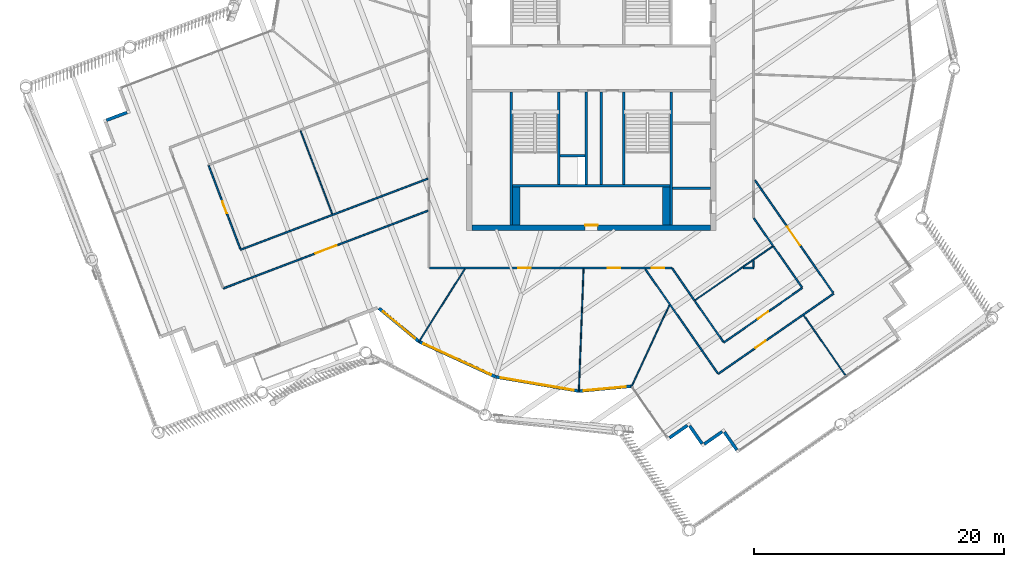
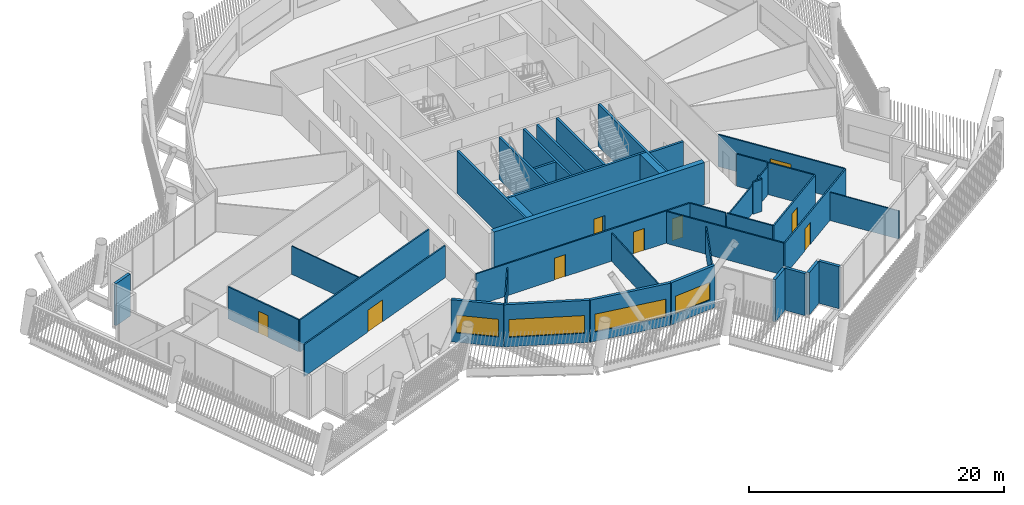
# One storey, part 17 of 33: 41 walls, 9 doors, 4 windows, 13 openings.
"""IFC4 building model written with IfcOpenShell, lengths in metres."""

from ifc_helpers import new_model, si_unit, direction, frame, frame_2d, origin, place, context, subcontext, project, spatial, rectangle, extrude, material, layer, layer_set, type_object, element, fill, save


model = new_model("IFC4")

# Units and contexts
model_context = context("Model", 3, precision=1e-05, world=origin(), true_north=direction((0.0, 1.0)))
body_context = subcontext(model_context, "Body", "Model", "MODEL_VIEW")
ifc_project = project(units=[si_unit("LENGTHUNIT", "METRE"), si_unit("AREAUNIT", "SQUARE_METRE"), si_unit("VOLUMEUNIT", "CUBIC_METRE"), si_unit("PLANEANGLEUNIT", "RADIAN"), si_unit("MASSUNIT", "GRAM", prefix="KILO")], contexts=[model_context])

# Site, building, storey
site_placement = place(None, origin())
site = spatial("IfcSite", under=ifc_project, at=site_placement, CompositionType="ELEMENT")
building_placement = place(site_placement, origin())
building = spatial("IfcBuilding", under=site, at=building_placement, Name="Tarsis Ring Headquarters", CompositionType="ELEMENT")
storey_placement = place(building_placement, frame((0.0, 0.0, 369.199951171875)))
storey = spatial("IfcBuildingStorey", under=building, at=storey_placement, Name="L87", CompositionType="ELEMENT", Elevation=369.199951171875)

# Walls
ifc_material_1 = material(Name="Blockwork", Category="masonry")
ifc_layer_1 = layer(ifc_material_1, 0.199951171875)
ifc_layer_set_1 = layer_set([ifc_layer_1], Name="Core blockwork wall 200")
wall_type_1 = type_object("IfcWallType", Name="Core blockwork wall 200", PredefinedType="PARTITIONING", material=ifc_layer_set_1)
wall_1_placement = place(storey_placement, frame((6.5, -9.60009765625, 0.0), z_axis=(0.0, 0.0, 1.0), x_axis=(1.0, 0.0, 0.0)))
element("IfcWall", 1, at=wall_1_placement, inside=storey, type_object=wall_type_1, Name="Core partition ED1", PredefinedType="PARTITIONING", context=body_context, shape_type="SweptSolid", body=[
    extrude(rectangle(XDim=3.050048828125, YDim=0.199951171875, at=frame_2d((1.52490234375, 0.0))), origin(), (0.0, 0.0, 1.0), 4.0400390625),
])
wall_2_placement = place(storey_placement, frame((-2.5, -7.0, 0.0), z_axis=(0.0, 0.0, 1.0), x_axis=(1.0, 0.0, 0.0)))
element("IfcWall", 2, at=wall_2_placement, inside=storey, type_object=wall_type_1, Name="Core partition SP1", PredefinedType="PARTITIONING", context=body_context, shape_type="SweptSolid", body=[
    extrude(rectangle(XDim=2.0, YDim=0.199951171875, at=frame_2d((1.0, 0.0))), origin(), (0.0, 0.0, 1.0), 4.0400390625),
])
for number, where, z_axis, x_axis, name in (
    (3, (-0.39990234375, -9.300048828125, 0.0), (0.0, 0.0, 1.0), (0.0, 1.0, 0.0), "Core partition SV1"),
    (4, (0.800048828125, -9.300048828125, 0.0), (0.0, 0.0, 1.0), (0.0, 1.0, 0.0), "Core partition SV2"),
):
    element("IfcWall", number, at=place(storey_placement, frame(where, z_axis=z_axis, x_axis=x_axis)), inside=storey, type_object=wall_type_1, Name=name, PredefinedType="PARTITIONING", context=body_context, shape_type="SweptSolid", body=[
        extrude(rectangle(XDim=7.400146484375, YDim=0.199951171875, at=frame_2d((3.7001953125, 0.0))), origin(), (0.0, 0.0, 1.0), 4.0400390625),
    ])

# Wall, opening, door
ifc_material_2 = material(Name="Concrete C50/60", Category="concrete")
ifc_layer_2 = layer(ifc_material_2, 0.449951171875)
ifc_layer_set_2 = layer_set([ifc_layer_2], Name="Core wall 450 C50/60")
wall_type_2 = type_object("IfcWallType", Name="Core wall 450 C50/60", PredefinedType="SHEAR", material=ifc_layer_set_2)
wall_3_placement = place(storey_placement, frame((-9.550048828125, -12.77490234375, 0.0), z_axis=(0.0, 0.0, 1.0), x_axis=(1.0, 0.0, 0.0)))
wall_3 = element("IfcWall", 5, at=wall_3_placement, inside=storey, type_object=wall_type_2, Name="Core wall OS", PredefinedType="SHEAR", context=body_context, shape_type="SweptSolid", body=[
    extrude(rectangle(XDim=19.10009765625, YDim=0.449951171875, at=frame_2d((9.550048828125, 0.0))), origin(), (0.0, 0.0, 1.0), 4.0400390625),
])
opening_1_placement = place(wall_3_placement, frame((9.050048828125, 0.0, 0.0)))
opening_1 = element("IfcOpeningElement", 6, at=opening_1_placement, cuts=wall_3, Name="Opening L87-C17", PredefinedType="OPENING", context=body_context, shape_type="SweptSolid", body=[
    extrude(rectangle(XDim=1.0, YDim=2.10009765625, at=frame_2d((0.5, 1.050048828125))), frame((0.0, 0.23486328125, 0.0), z_axis=(0.0, -1.0, 0.0), x_axis=(1.0, 0.0, 0.0)), (0.0, 0.0, 1.0), 0.469970703125),
])
ifc_material_3 = material(Name="Steel S355", Category="steel")
door_type_1 = type_object("IfcDoorType", Name="Core room door 1000x2100", OperationType="SINGLE_SWING_LEFT", PredefinedType="DOOR", material=ifc_material_3)
door_1_placement = place(opening_1_placement, origin())
door_1 = element("IfcDoor", 7, at=door_1_placement, inside=storey, type_object=door_type_1, Name="Core room door L87", OperationType="SINGLE_SWING_LEFT", OverallHeight=2.10009765625, OverallWidth=1.0, PredefinedType="DOOR", context=body_context, shape_type="SweptSolid", body=[
    extrude(rectangle(XDim=1.0, YDim=2.10009765625, at=frame_2d((0.5, 1.050048828125))), frame((0.0, 0.22509765625, 0.0), z_axis=(0.0, -1.0, 0.0), x_axis=(1.0, 0.0, 0.0)), (0.0, 0.0, 1.0), 0.050048828125),
])
fill(opening_1, door_1)

# Walls
ifc_material_4 = material(Name="Gypsum board on steel studs", Category="steel")
ifc_layer_3 = layer(ifc_material_4, 0.10009765625)
ifc_layer_set_3 = layer_set([ifc_layer_3], Name="FL partition 100 unrated")
wall_type_3 = type_object("IfcWallType", Name="FL partition 100 unrated", PredefinedType="PARTITIONING", material=ifc_layer_set_3)
wall_4_placement = place(storey_placement, frame((-0.99609375, -25.9287109375, 0.0), z_axis=(0.0, 0.0, 1.0), x_axis=(0.03840461206, 0.999262270764, 0.0)))
element("IfcWall", 8, at=wall_4_placement, inside=storey, type_object=wall_type_3, Name="Partition PW3", PredefinedType="PARTITIONING", context=body_context, shape_type="SweptSolid", body=[
    extrude(rectangle(XDim=9.8662109375, YDim=0.10009765625, at=frame_2d((4.93310546875, 0.0))), origin(), (0.0, 0.0, 1.0), 2.699951171875),
])
wall_5_placement = place(storey_placement, frame((8.269287109375, -18.60888671875, 0.0), z_axis=(0.0, 0.0, 1.0), x_axis=(0.821155877845, 0.570703972547, 0.0)))
element("IfcWall", 9, at=wall_5_placement, inside=storey, type_object=wall_type_3, Name="Partition PW3", PredefinedType="PARTITIONING", context=body_context, shape_type="SweptSolid", body=[
    extrude(rectangle(XDim=7.659912109375, YDim=0.10009765625, at=frame_2d((3.830078125, 0.0))), origin(), (0.0, 0.0, 1.0), 2.699951171875),
])
wall_6_placement = place(storey_placement, frame((-23.260498046875, -5.027587890625, 0.0), z_axis=(0.0, 0.0, 1.0), x_axis=(0.355069738809, -0.934839815467, 0.0)))
element("IfcWall", 10, at=wall_6_placement, inside=storey, type_object=wall_type_3, Name="Partition PW3", PredefinedType="PARTITIONING", context=body_context, shape_type="SweptSolid", body=[
    extrude(rectangle(XDim=7.119873046875, YDim=0.10009765625, at=frame_2d((3.56005859375, 0.0))), origin(), (0.0, 0.0, 1.0), 2.699951171875),
])
wall_7_placement = place(storey_placement, frame((3.208251953125, -25.510986328125, 0.0), z_axis=(0.0, 0.0, 1.0), x_axis=(0.421817035466, 0.906680973988, 0.0)))
element("IfcWall", 11, at=wall_7_placement, inside=storey, type_object=wall_type_3, Name="Partition PW3", PredefinedType="PARTITIONING", context=body_context, shape_type="SweptSolid", body=[
    extrude(rectangle(XDim=7.19482421875, YDim=0.10009765625, at=frame_2d((3.597412109375, 0.0))), origin(), (0.0, 0.0, 1.0), 2.699951171875),
])
wall_8_placement = place(storey_placement, frame((-13.826904296875, -21.956787109375, 0.0), z_axis=(0.0, 0.0, 1.0), x_axis=(0.532866379192, 0.846199398444, 0.0)))
element("IfcWall", 12, at=wall_8_placement, inside=storey, type_object=wall_type_3, Name="Partition PW3", PredefinedType="PARTITIONING", context=body_context, shape_type="SweptSolid", body=[
    extrude(rectangle(XDim=6.949462890625, YDim=0.10009765625, at=frame_2d((3.474609375, 0.0))), origin(), (0.0, 0.0, 1.0), 2.699951171875),
])
wall_9_placement = place(storey_placement, frame((17.00830078125, -19.793212890625, 0.0), z_axis=(0.0, 0.0, 1.0), x_axis=(0.57069900797, -0.821159328208, 0.0)))
element("IfcWall", 13, at=wall_9_placement, inside=storey, type_object=wall_type_3, Name="Partition PW3", PredefinedType="PARTITIONING", context=body_context, shape_type="SweptSolid", body=[
    extrude(rectangle(XDim=5.989990234375, YDim=0.10009765625, at=frame_2d((2.9951171875, 0.0))), origin(), (0.0, 0.0, 1.0), 2.699951171875),
])

# Wall, openings, doors
ifc_layer_4 = layer(ifc_material_4, 0.125)
ifc_layer_set_4 = layer_set([ifc_layer_4], Name="FL partition 125 EI 60 H3070")
wall_type_4 = type_object("IfcWallType", Name="FL partition 125 EI 60 H3070", PredefinedType="PARTITIONING", material=ifc_layer_set_4)
wall_10_placement = place(storey_placement, frame((-12.93994140625, -16.0, 0.0), z_axis=(0.0, 0.0, 1.0), x_axis=(1.0, 0.0, 0.0)))
wall_10 = element("IfcWall", 14, at=wall_10_placement, inside=storey, type_object=wall_type_4, Name="Partition PW1H307", PredefinedType="PARTITIONING", context=body_context, shape_type="SweptSolid", body=[
    extrude(rectangle(XDim=19.39599609375, YDim=0.125, at=frame_2d((9.697998046875, 0.0))), origin(), (0.0, 0.0, 1.0), 3.070068359375),
])
opening_2_placement = place(wall_10_placement, frame((14.2646484375, 0.0, 0.0)))
opening_2 = element("IfcOpeningElement", 15, at=opening_2_placement, cuts=wall_10, Name="Opening D87.12", PredefinedType="OPENING", context=body_context, shape_type="SweptSolid", body=[
    extrude(rectangle(XDim=1.0, YDim=2.10009765625, at=frame_2d((0.5, 1.050048828125))), frame((0.0, 0.072509765625, 0.0), z_axis=(0.0, -1.0, 0.0), x_axis=(1.0, 0.0, 0.0)), (0.0, 0.0, 1.0), 0.14501953125),
])
opening_3_placement = place(wall_10_placement, frame((7.0947265625, 0.0, 0.0)))
opening_3 = element("IfcOpeningElement", 16, at=opening_3_placement, cuts=wall_10, Name="Opening D87.13", PredefinedType="OPENING", context=body_context, shape_type="SweptSolid", body=[
    extrude(rectangle(XDim=1.0, YDim=2.10009765625, at=frame_2d((0.5, 1.050048828125))), frame((0.0, 0.072509765625, 0.0), z_axis=(0.0, -1.0, 0.0), x_axis=(1.0, 0.0, 0.0)), (0.0, 0.0, 1.0), 0.14501953125),
])
opening_4_placement = place(wall_10_placement, frame((17.800048828125, 0.0, 0.0)))
opening_4 = element("IfcOpeningElement", 17, at=opening_4_placement, cuts=wall_10, Name="Opening D87.17", PredefinedType="OPENING", context=body_context, shape_type="SweptSolid", body=[
    extrude(rectangle(XDim=1.0, YDim=2.10009765625, at=frame_2d((0.5, 1.050048828125))), frame((0.0, 0.072509765625, 0.0), z_axis=(0.0, -1.0, 0.0), x_axis=(1.0, 0.0, 0.0)), (0.0, 0.0, 1.0), 0.14501953125),
])
ifc_material_5 = material(Name="Fire-rated timber door leaf in steel frame", Category="steel")
door_type_2 = type_object("IfcDoorType", Name="FL door FD60-1000", OperationType="NOTDEFINED", PredefinedType="DOOR", material=ifc_material_5)
door_2_placement = place(opening_2_placement, origin())
door_2 = element("IfcDoor", 18, at=door_2_placement, inside=storey, type_object=door_type_2, Name="Door D87.12", OperationType="SINGLE_SWING_LEFT", OverallHeight=2.10009765625, OverallWidth=1.0, PredefinedType="DOOR", context=body_context, shape_type="SweptSolid", body=[
    extrude(rectangle(XDim=1.0, YDim=2.10009765625, at=frame_2d((0.5, 1.050048828125))), frame((0.0, 0.02490234375, 0.0), z_axis=(0.0, -1.0, 0.0), x_axis=(1.0, 0.0, 0.0)), (0.0, 0.0, 1.0), 0.050048828125),
])
fill(opening_2, door_2)
door_3_placement = place(opening_3_placement, origin())
door_3 = element("IfcDoor", 19, at=door_3_placement, inside=storey, type_object=door_type_2, Name="Door D87.13", OperationType="SINGLE_SWING_RIGHT", OverallHeight=2.10009765625, OverallWidth=1.0, PredefinedType="DOOR", context=body_context, shape_type="SweptSolid", body=[
    extrude(rectangle(XDim=1.0, YDim=2.10009765625, at=frame_2d((0.5, 1.050048828125))), frame((0.0, 0.02490234375, 0.0), z_axis=(0.0, -1.0, 0.0), x_axis=(1.0, 0.0, 0.0)), (0.0, 0.0, 1.0), 0.050048828125),
])
fill(opening_3, door_3)
door_4_placement = place(opening_4_placement, origin())
door_4 = element("IfcDoor", 20, at=door_4_placement, inside=storey, type_object=door_type_2, Name="Door D87.17", OperationType="SINGLE_SWING_RIGHT", OverallHeight=2.10009765625, OverallWidth=1.0, PredefinedType="DOOR", context=body_context, shape_type="SweptSolid", body=[
    extrude(rectangle(XDim=1.0, YDim=2.10009765625, at=frame_2d((0.5, 1.050048828125))), frame((0.0, 0.02490234375, 0.0), z_axis=(0.0, -1.0, 0.0), x_axis=(1.0, 0.0, 0.0)), (0.0, 0.0, 1.0), 0.050048828125),
])
fill(opening_4, door_4)

# Wall, opening, door
wall_11_placement = place(storey_placement, frame((-29.455810546875, -17.6396484375, 0.0), z_axis=(0.0, 0.0, 1.0), x_axis=(0.934824563286, 0.355109892678, 0.0)))
wall_11 = element("IfcWall", 21, at=wall_11_placement, inside=storey, type_object=wall_type_4, Name="Partition PW1H307", PredefinedType="PARTITIONING", context=body_context, shape_type="SweptSolid", body=[
    extrude(rectangle(XDim=17.523193359375, YDim=0.125, at=frame_2d((8.76171875, 0.0))), origin(), (0.0, 0.0, 1.0), 3.070068359375),
])
opening_5_placement = place(wall_11_placement, frame((7.901611328125, 0.0, 0.0)))
opening_5 = element("IfcOpeningElement", 22, at=opening_5_placement, cuts=wall_11, Name="Opening D87.01", PredefinedType="OPENING", context=body_context, shape_type="SweptSolid", body=[
    extrude(rectangle(XDim=1.800048828125, YDim=2.10009765625, at=frame_2d((0.89990234375, 1.050048828125))), frame((0.0, 0.072509765625, 0.0), z_axis=(0.0, -1.0, 0.0), x_axis=(1.0, 0.0, 0.0)), (0.0, 0.0, 1.0), 0.14501953125),
])
door_type_3 = type_object("IfcDoorType", Name="FL door FD60-1800", OperationType="DOUBLE_DOOR_SINGLE_SWING", PredefinedType="DOOR", material=ifc_material_5)
door_5_placement = place(opening_5_placement, origin())
door_5 = element("IfcDoor", 23, at=door_5_placement, inside=storey, type_object=door_type_3, Name="Door D87.01", OperationType="DOUBLE_DOOR_SINGLE_SWING", OverallHeight=2.10009765625, OverallWidth=1.800048828125, PredefinedType="DOOR", context=body_context, shape_type="SweptSolid", body=[
    extrude(rectangle(XDim=1.800048828125, YDim=2.10009765625, at=frame_2d((0.89990234375, 1.050048828125))), frame((0.0, 0.02490234375, 0.0), z_axis=(0.0, -1.0, 0.0), x_axis=(1.0, 0.0, 0.0)), (0.0, 0.0, 1.0), 0.050048828125),
])
fill(opening_5, door_5)

# Wall
wall_12_placement = place(storey_placement, frame((-28.064453125, -14.543701171875, 0.0), z_axis=(0.0, 0.0, 1.0), x_axis=(0.934825233191, 0.355108129152, 0.0)))
element("IfcWall", 24, at=wall_12_placement, inside=storey, type_object=wall_type_4, Name="Partition PW1H307", PredefinedType="PARTITIONING", context=body_context, shape_type="SweptSolid", body=[
    extrude(rectangle(XDim=16.034912109375, YDim=0.125, at=frame_2d((8.017578125, 0.0))), origin(), (0.0, 0.0, 1.0), 3.070068359375),
])

# Wall, opening, door
wall_13_placement = place(storey_placement, frame((10.152587890625, -24.47265625, 0.0), z_axis=(0.0, 0.0, 1.0), x_axis=(0.821146421845, 0.570717578047, 0.0)))
wall_13 = element("IfcWall", 25, at=wall_13_placement, inside=storey, type_object=wall_type_4, Name="Partition PW1H307", PredefinedType="PARTITIONING", context=body_context, shape_type="SweptSolid", body=[
    extrude(rectangle(XDim=11.260009765625, YDim=0.125, at=frame_2d((5.6298828125, 0.0))), origin(), (0.0, 0.0, 1.0), 3.070068359375),
])
opening_6_placement = place(wall_13_placement, frame((3.648193359375, 0.0, 0.0)))
opening_6 = element("IfcOpeningElement", 26, at=opening_6_placement, cuts=wall_13, Name="Opening D87.11", PredefinedType="OPENING", context=body_context, shape_type="SweptSolid", body=[
    extrude(rectangle(XDim=1.0, YDim=2.10009765625, at=frame_2d((0.5, 1.050048828125))), frame((0.0, 0.072509765625, 0.0), z_axis=(0.0, -1.0, 0.0), x_axis=(1.0, 0.0, 0.0)), (0.0, 0.0, 1.0), 0.14501953125),
])
door_6_placement = place(opening_6_placement, origin())
door_6 = element("IfcDoor", 27, at=door_6_placement, inside=storey, type_object=door_type_2, Name="Door D87.11", OperationType="SINGLE_SWING_RIGHT", OverallHeight=2.10009765625, OverallWidth=1.0, PredefinedType="DOOR", context=body_context, shape_type="SweptSolid", body=[
    extrude(rectangle(XDim=1.0, YDim=2.10009765625, at=frame_2d((0.5, 1.050048828125))), frame((0.0, 0.02490234375, 0.0), z_axis=(0.0, -1.0, 0.0), x_axis=(1.0, 0.0, 0.0)), (0.0, 0.0, 1.0), 0.050048828125),
])
fill(opening_6, door_6)

wall_14_placement = place(storey_placement, frame((13.102783203125, -8.987548828125, 0.0), z_axis=(0.0, 0.0, 1.0), x_axis=(0.570699341608, -0.821159096331, 0.0)))
wall_14 = element("IfcWall", 28, at=wall_14_placement, inside=storey, type_object=wall_type_4, Name="Partition PW1H307", PredefinedType="PARTITIONING", context=body_context, shape_type="SweptSolid", body=[
    extrude(rectangle(XDim=10.971923828125, YDim=0.125, at=frame_2d((5.48583984375, 0.0))), origin(), (0.0, 0.0, 1.0), 3.070068359375),
])
opening_7_placement = place(wall_14_placement, frame((4.52587890625, 0.0, 0.0)))
opening_7 = element("IfcOpeningElement", 29, at=opening_7_placement, cuts=wall_14, Name="Opening D87.10", PredefinedType="OPENING", context=body_context, shape_type="SweptSolid", body=[
    extrude(rectangle(XDim=1.800048828125, YDim=2.10009765625, at=frame_2d((0.89990234375, 1.050048828125))), frame((0.0, 0.072509765625, 0.0), z_axis=(0.0, -1.0, 0.0), x_axis=(1.0, 0.0, 0.0)), (0.0, 0.0, 1.0), 0.14501953125),
])
door_7_placement = place(opening_7_placement, origin())
door_7 = element("IfcDoor", 30, at=door_7_placement, inside=storey, type_object=door_type_3, Name="Door D87.10", OperationType="DOUBLE_DOOR_SINGLE_SWING", OverallHeight=2.10009765625, OverallWidth=1.800048828125, PredefinedType="DOOR", context=body_context, shape_type="SweptSolid", body=[
    extrude(rectangle(XDim=1.800048828125, YDim=2.10009765625, at=frame_2d((0.89990234375, 1.050048828125))), frame((0.0, 0.02490234375, 0.0), z_axis=(0.0, -1.0, 0.0), x_axis=(1.0, 0.0, 0.0)), (0.0, 0.0, 1.0), 0.050048828125),
])
fill(opening_7, door_7)

# Wall
wall_15_placement = place(storey_placement, frame((4.326904296875, -16.09033203125, 0.0), z_axis=(0.0, 0.0, 1.0), x_axis=(0.570707760525, -0.821153245184, 0.0)))
element("IfcWall", 31, at=wall_15_placement, inside=storey, type_object=wall_type_4, Name="Partition PW1H307", PredefinedType="PARTITIONING", context=body_context, shape_type="SweptSolid", body=[
    extrude(rectangle(XDim=10.14794921875, YDim=0.125, at=frame_2d((5.073974609375, 0.0))), origin(), (0.0, 0.0, 1.0), 3.070068359375),
])

# Wall, opening, door
wall_16_placement = place(storey_placement, frame((10.603515625, -21.96728515625, 0.0), z_axis=(0.0, 0.0, 1.0), x_axis=(0.821155877845, 0.570703972547, 0.0)))
wall_16 = element("IfcWall", 32, at=wall_16_placement, inside=storey, type_object=wall_type_4, Name="Partition PW1H307", PredefinedType="PARTITIONING", context=body_context, shape_type="SweptSolid", body=[
    extrude(rectangle(XDim=7.659912109375, YDim=0.125, at=frame_2d((3.830078125, 0.0))), origin(), (0.0, 0.0, 1.0), 3.070068359375),
])
opening_8_placement = place(wall_16_placement, frame((3.330078125, 0.0, 0.0)))
opening_8 = element("IfcOpeningElement", 33, at=opening_8_placement, cuts=wall_16, Name="Opening D87.16", PredefinedType="OPENING", context=body_context, shape_type="SweptSolid", body=[
    extrude(rectangle(XDim=1.0, YDim=2.10009765625, at=frame_2d((0.5, 1.050048828125))), frame((0.0, 0.072509765625, 0.0), z_axis=(0.0, -1.0, 0.0), x_axis=(1.0, 0.0, 0.0)), (0.0, 0.0, 1.0), 0.14501953125),
])
door_8_placement = place(opening_8_placement, origin())
door_8 = element("IfcDoor", 34, at=door_8_placement, inside=storey, type_object=door_type_2, Name="Door D87.16", OperationType="SINGLE_SWING_LEFT", OverallHeight=2.10009765625, OverallWidth=1.0, PredefinedType="DOOR", context=body_context, shape_type="SweptSolid", body=[
    extrude(rectangle(XDim=1.0, YDim=2.10009765625, at=frame_2d((0.5, 1.050048828125))), frame((0.0, 0.02490234375, 0.0), z_axis=(0.0, -1.0, 0.0), x_axis=(1.0, 0.0, 0.0)), (0.0, 0.0, 1.0), 0.050048828125),
])
fill(opening_8, door_8)

# Walls
wall_17_placement = place(storey_placement, frame((6.47900390625, -16.03271484375, 0.0), z_axis=(0.0, 0.0, 1.0), x_axis=(0.570656615896, -0.821188788729, 0.0)))
element("IfcWall", 35, at=wall_17_placement, inside=storey, type_object=wall_type_4, Name="Partition PW1H307", PredefinedType="PARTITIONING", context=body_context, shape_type="SweptSolid", body=[
    extrude(rectangle(XDim=3.087158203125, YDim=0.125, at=frame_2d((1.54345703125, 0.0))), origin(), (0.0, 0.0, 1.0), 3.070068359375),
])
wall_18_placement = place(storey_placement, frame((8.2978515625, -18.64990234375, 0.0), z_axis=(0.0, 0.0, 1.0), x_axis=(0.57069237418, -0.821163938597, 0.0)))
element("IfcWall", 36, at=wall_18_placement, inside=storey, type_object=wall_type_4, Name="Partition PW1H307", PredefinedType="PARTITIONING", context=body_context, shape_type="SweptSolid", body=[
    extrude(rectangle(XDim=3.979736328125, YDim=0.125, at=frame_2d((1.98974609375, 0.0))), origin(), (0.0, 0.0, 1.0), 3.070068359375),
])

# Wall, opening, door
wall_19_placement = place(storey_placement, frame((-30.621337890625, -7.81298828125, 0.0), z_axis=(0.0, 0.0, 1.0), x_axis=(0.35512214915, -0.934819907353, 0.0)))
wall_19 = element("IfcWall", 37, at=wall_19_placement, inside=storey, type_object=wall_type_4, Name="Partition PW1H307", PredefinedType="PARTITIONING", context=body_context, shape_type="SweptSolid", body=[
    extrude(rectangle(XDim=7.14013671875, YDim=0.125, at=frame_2d((3.570068359375, 0.0))), origin(), (0.0, 0.0, 1.0), 3.070068359375),
])
opening_9_placement = place(wall_19_placement, frame((3.070068359375, 0.0, 0.0)))
opening_9 = element("IfcOpeningElement", 38, at=opening_9_placement, cuts=wall_19, Name="Opening D87.15", PredefinedType="OPENING", context=body_context, shape_type="SweptSolid", body=[
    extrude(rectangle(XDim=1.0, YDim=2.10009765625, at=frame_2d((0.5, 1.050048828125))), frame((0.0, 0.072509765625, 0.0), z_axis=(0.0, -1.0, 0.0), x_axis=(1.0, 0.0, 0.0)), (0.0, 0.0, 1.0), 0.14501953125),
])
door_9_placement = place(opening_9_placement, origin())
door_9 = element("IfcDoor", 39, at=door_9_placement, inside=storey, type_object=door_type_2, Name="Door D87.15", OperationType="SINGLE_SWING_RIGHT", OverallHeight=2.10009765625, OverallWidth=1.0, PredefinedType="DOOR", context=body_context, shape_type="SweptSolid", body=[
    extrude(rectangle(XDim=1.0, YDim=2.10009765625, at=frame_2d((0.5, 1.050048828125))), frame((0.0, 0.02490234375, 0.0), z_axis=(0.0, -1.0, 0.0), x_axis=(1.0, 0.0, 0.0)), (0.0, 0.0, 1.0), 0.050048828125),
])
fill(opening_9, door_9)

# Walls
wall_20_placement = place(storey_placement, frame((13.01708984375, -12.018310546875, 0.0), z_axis=(0.0, 0.0, 1.0), x_axis=(0.570740785591, -0.821130291527, 0.0)))
element("IfcWall", 40, at=wall_20_placement, inside=storey, type_object=wall_type_4, Name="Partition PW1H307", PredefinedType="PARTITIONING", context=body_context, shape_type="SweptSolid", body=[
    extrude(rectangle(XDim=2.652099609375, YDim=0.125, at=frame_2d((1.326171875, 0.0))), origin(), (0.0, 0.0, 1.0), 3.070068359375),
])
wall_21_placement = place(storey_placement, frame((14.587890625, -14.2783203125, 0.0), z_axis=(0.0, 0.0, 1.0), x_axis=(0.57069237418, -0.821163938597, 0.0)))
element("IfcWall", 41, at=wall_21_placement, inside=storey, type_object=wall_type_4, Name="Partition PW1H307", PredefinedType="PARTITIONING", context=body_context, shape_type="SweptSolid", body=[
    extrude(rectangle(XDim=3.979736328125, YDim=0.125, at=frame_2d((1.98974609375, 0.0))), origin(), (0.0, 0.0, 1.0), 3.070068359375),
])
wall_22_placement = place(storey_placement, frame((12.181884765625, -16.0, 0.0), z_axis=(0.0, 0.0, 1.0), x_axis=(1.0, 0.0, 0.0)))
element("IfcWall", 42, at=wall_22_placement, inside=storey, type_object=wall_type_4, Name="Partition PW1H307", PredefinedType="PARTITIONING", context=body_context, shape_type="SweptSolid", body=[
    extrude(rectangle(XDim=0.817138671875, YDim=0.125, at=frame_2d((0.40869140625, 0.0))), origin(), (0.0, 0.0, 1.0), 3.070068359375),
])
wall_23_placement = place(storey_placement, frame((13.0, -15.93896484375, 0.0), z_axis=(0.0, 0.0, 1.0), x_axis=(0.0, 1.0, 0.0)))
element("IfcWall", 43, at=wall_23_placement, inside=storey, type_object=wall_type_4, Name="Partition PW1H307", PredefinedType="PARTITIONING", context=body_context, shape_type="SweptSolid", body=[
    extrude(rectangle(XDim=0.528564453125, YDim=0.125, at=frame_2d((0.26416015625, 0.0))), origin(), (0.0, 0.0, 1.0), 3.070068359375),
])

# Wall, opening, window
ifc_material_6 = material(Name="Terracotta clad insulated panel wall", Category="masonry")
ifc_layer_5 = layer(ifc_material_6, 0.25)
ifc_layer_set_5 = layer_set([ifc_layer_5], Name="Facade wall terracotta panel 250")
wall_type_5 = type_object("IfcWallType", Name="Facade wall terracotta panel 250", PredefinedType="STANDARD", material=ifc_layer_set_5)
wall_24_placement = place(storey_placement, frame((-16.9990234375, -19.22802734375, 0.0), z_axis=(0.0, 0.0, 1.0), x_axis=(0.769384835299, -0.638785547122, 0.0)))
wall_24 = element("IfcWall", 44, at=wall_24_placement, inside=storey, type_object=wall_type_5, Name="External wall L87-02", PredefinedType="STANDARD", context=body_context, shape_type="SweptSolid", body=[
    extrude(rectangle(XDim=4.157470703125, YDim=0.25, at=frame_2d((2.07861328125, 0.0))), origin(), (0.0, 0.0, 1.0), 4.0400390625),
])
opening_10_placement = place(wall_24_placement, frame((0.420166015625, 0.0, 0.89990234375)))
opening_10 = element("IfcOpeningElement", 45, at=opening_10_placement, cuts=wall_24, Name="Opening WN01", PredefinedType="OPENING", context=body_context, shape_type="SweptSolid", body=[
    extrude(rectangle(XDim=3.35009765625, YDim=1.699951171875, at=frame_2d((1.675048828125, 0.85009765625))), frame((0.0, 0.135009765625, 0.0), z_axis=(0.0, -1.0, 0.0), x_axis=(1.0, 0.0, 0.0)), (0.0, 0.0, 1.0), 0.27001953125),
])
ifc_material_7 = material(Name="Aluminium framed double glazing", Category="aluminium")
window_type_1 = type_object("IfcWindowType", Name="Facade window 3350 x 1700", PartitioningType="SINGLE_PANEL", PredefinedType="WINDOW", material=ifc_material_7)
window_1_placement = place(opening_10_placement, origin())
window_1 = element("IfcWindow", 46, at=window_1_placement, inside=storey, type_object=window_type_1, Name="Window L87-02.1", OverallHeight=1.699951171875, OverallWidth=3.35009765625, PartitioningType="SINGLE_PANEL", PredefinedType="WINDOW", context=body_context, shape_type="SweptSolid", body=[
    extrude(rectangle(XDim=3.35009765625, YDim=1.699951171875, at=frame_2d((1.675048828125, 0.85009765625))), frame((0.0, 0.030029296875, 0.0), z_axis=(0.0, -1.0, 0.0), x_axis=(1.0, 0.0, 0.0)), (0.0, 0.0, 1.0), 0.06005859375),
])
fill(opening_10, window_1)

wall_25_placement = place(storey_placement, frame((-13.772705078125, -21.901123046875, 0.0), z_axis=(0.0, 0.0, 1.0), x_axis=(0.908503966259, -0.417876229633, 0.0)))
wall_25 = element("IfcWall", 47, at=wall_25_placement, inside=storey, type_object=wall_type_5, Name="External wall L87-03", PredefinedType="STANDARD", context=body_context, shape_type="SweptSolid", body=[
    extrude(rectangle(XDim=6.7216796875, YDim=0.25, at=frame_2d((3.36083984375, 0.0))), origin(), (0.0, 0.0, 1.0), 4.0400390625),
])
opening_11_placement = place(wall_25_placement, frame((0.3857421875, 0.0, 0.89990234375)))
opening_11 = element("IfcOpeningElement", 48, at=opening_11_placement, cuts=wall_25, Name="Opening WN07", PredefinedType="OPENING", context=body_context, shape_type="SweptSolid", body=[
    extrude(rectangle(XDim=5.949951171875, YDim=1.699951171875, at=frame_2d((2.97509765625, 0.85009765625))), frame((0.0, 0.135009765625, 0.0), z_axis=(0.0, -1.0, 0.0), x_axis=(1.0, 0.0, 0.0)), (0.0, 0.0, 1.0), 0.27001953125),
])
window_type_2 = type_object("IfcWindowType", Name="Facade window 5950 x 1700", PartitioningType="SINGLE_PANEL", PredefinedType="WINDOW", material=ifc_material_7)
window_2_placement = place(opening_11_placement, origin())
window_2 = element("IfcWindow", 49, at=window_2_placement, inside=storey, type_object=window_type_2, Name="Window L87-03.1", OverallHeight=1.699951171875, OverallWidth=5.949951171875, PartitioningType="SINGLE_PANEL", PredefinedType="WINDOW", context=body_context, shape_type="SweptSolid", body=[
    extrude(rectangle(XDim=5.949951171875, YDim=1.699951171875, at=frame_2d((2.97509765625, 0.85009765625))), frame((0.0, 0.030029296875, 0.0), z_axis=(0.0, -1.0, 0.0), x_axis=(1.0, 0.0, 0.0)), (0.0, 0.0, 1.0), 0.06005859375),
])
fill(opening_11, window_2)

wall_26_placement = place(storey_placement, frame((-7.635009765625, -24.719482421875, 0.0), z_axis=(0.0, 0.0, 1.0), x_axis=(0.985702161796, -0.168497027363, 0.0)))
wall_26 = element("IfcWall", 50, at=wall_26_placement, inside=storey, type_object=wall_type_5, Name="External wall L87-04", PredefinedType="STANDARD", context=body_context, shape_type="SweptSolid", body=[
    extrude(rectangle(XDim=6.7216796875, YDim=0.25, at=frame_2d((3.36083984375, 0.0))), origin(), (0.0, 0.0, 1.0), 4.0400390625),
])
opening_12_placement = place(wall_26_placement, frame((0.3857421875, 0.0, 0.89990234375)))
opening_12 = element("IfcOpeningElement", 51, at=opening_12_placement, cuts=wall_26, Name="Opening WN07", PredefinedType="OPENING", context=body_context, shape_type="SweptSolid", body=[
    extrude(rectangle(XDim=5.949951171875, YDim=1.699951171875, at=frame_2d((2.97509765625, 0.85009765625))), frame((0.0, 0.135009765625, 0.0), z_axis=(0.0, -1.0, 0.0), x_axis=(1.0, 0.0, 0.0)), (0.0, 0.0, 1.0), 0.27001953125),
])
window_3_placement = place(opening_12_placement, origin())
window_3 = element("IfcWindow", 52, at=window_3_placement, inside=storey, type_object=window_type_2, Name="Window L87-04.1", OverallHeight=1.699951171875, OverallWidth=5.949951171875, PartitioningType="SINGLE_PANEL", PredefinedType="WINDOW", context=body_context, shape_type="SweptSolid", body=[
    extrude(rectangle(XDim=5.949951171875, YDim=1.699951171875, at=frame_2d((2.97509765625, 0.85009765625))), frame((0.0, 0.030029296875, 0.0), z_axis=(0.0, -1.0, 0.0), x_axis=(1.0, 0.0, 0.0)), (0.0, 0.0, 1.0), 0.06005859375),
])
fill(opening_12, window_3)

wall_27_placement = place(storey_placement, frame((-0.976806640625, -25.853271484375, 0.0), z_axis=(0.0, 0.0, 1.0), x_axis=(0.995724857014, 0.092368875301, 0.0)))
wall_27 = element("IfcWall", 53, at=wall_27_placement, inside=storey, type_object=wall_type_5, Name="External wall L87-05", PredefinedType="STANDARD", context=body_context, shape_type="SweptSolid", body=[
    extrude(rectangle(XDim=4.20263671875, YDim=0.25, at=frame_2d((2.101318359375, 0.0))), origin(), (0.0, 0.0, 1.0), 4.0400390625),
])
opening_13_placement = place(wall_27_placement, frame((0.38720703125, 0.0, 0.89990234375)))
opening_13 = element("IfcOpeningElement", 54, at=opening_13_placement, cuts=wall_27, Name="Opening WN01", PredefinedType="OPENING", context=body_context, shape_type="SweptSolid", body=[
    extrude(rectangle(XDim=3.35009765625, YDim=1.699951171875, at=frame_2d((1.675048828125, 0.85009765625))), frame((0.0, 0.135009765625, 0.0), z_axis=(0.0, -1.0, 0.0), x_axis=(1.0, 0.0, 0.0)), (0.0, 0.0, 1.0), 0.27001953125),
])
window_4_placement = place(opening_13_placement, origin())
window_4 = element("IfcWindow", 55, at=window_4_placement, inside=storey, type_object=window_type_1, Name="Window L87-05.1", OverallHeight=1.699951171875, OverallWidth=3.35009765625, PartitioningType="SINGLE_PANEL", PredefinedType="WINDOW", context=body_context, shape_type="SweptSolid", body=[
    extrude(rectangle(XDim=3.35009765625, YDim=1.699951171875, at=frame_2d((1.675048828125, 0.85009765625))), frame((0.0, 0.030029296875, 0.0), z_axis=(0.0, -1.0, 0.0), x_axis=(1.0, 0.0, 0.0)), (0.0, 0.0, 1.0), 0.06005859375),
])
fill(opening_13, window_4)

# Walls
for number, where, z_axis, x_axis, name in (
    (56, (6.26025390625, -29.595458984375, 0.0), (0.0, 0.0, 1.0), (0.821141139272, 0.570725178519, 0.0), "External wall L87-07"),
    (57, (7.87109375, -28.6279296875, 0.0), (0.0, 0.0, 1.0), (0.570725178519, -0.821141139272, 0.0), "External wall L87-08"),
    (58, (9.0439453125, -30.09619140625, 0.0), (0.0, 0.0, 1.0), (0.821206518709, 0.570631101176, 0.0), "External wall L87-09"),
    (59, (10.65478515625, -29.12890625, 0.0), (0.0, 0.0, 1.0), (0.570725178519, -0.821141139272, 0.0), "External wall L87-10"),
    (60, (-37.160400390625, -3.552490234375, 0.0), (0.0, 0.0, 1.0), (-0.934847492695, -0.355049525281, 0.0), "External wall L87-33"),
):
    element("IfcWall", number, at=place(storey_placement, frame(where, z_axis=z_axis, x_axis=x_axis)), inside=storey, type_object=wall_type_5, Name=name, PredefinedType="STANDARD", context=body_context, shape_type="SweptSolid", body=[
        extrude(rectangle(XDim=1.75, YDim=0.25, at=frame_2d((0.875, 0.0))), origin(), (0.0, 0.0, 1.0), 4.0400390625),
    ])
ifc_material_8 = material(Name="Concrete C32/40", Category="concrete")
ifc_layer_6 = layer(ifc_material_8, 0.60009765625)
ifc_layer_set_6 = layer_set([ifc_layer_6], Name="Shaft end wall 600 C32/40")
wall_type_6 = type_object("IfcWallType", Name="Shaft end wall 600 C32/40", PredefinedType="SOLIDWALL", material=ifc_layer_set_6)
for number, where, z_axis, x_axis, name in (
    (61, (-6.0, -12.550048828125, 0.0), (0.0, 0.0, 1.0), (0.0, 1.0, 0.0), "Core shaft wall SNE1"),
    (62, (6.0, -12.550048828125, 0.0), (0.0, 0.0, 1.0), (0.0, 1.0, 0.0), "Core shaft wall SNE2"),
):
    element("IfcWall", number, at=place(storey_placement, frame(where, z_axis=z_axis, x_axis=x_axis)), inside=storey, type_object=wall_type_6, Name=name, PredefinedType="SOLIDWALL", context=body_context, shape_type="SweptSolid", body=[
        extrude(rectangle(XDim=3.050048828125, YDim=0.60009765625, at=frame_2d((1.52490234375, 0.0))), origin(), (0.0, 0.0, 1.0), 4.0400390625),
    ])
ifc_layer_7 = layer(ifc_material_8, 0.199951171875)
ifc_layer_set_7 = layer_set([ifc_layer_7], Name="Shaft wall 200 C32/40")
wall_type_7 = type_object("IfcWallType", Name="Shaft wall 200 C32/40", PredefinedType="SOLIDWALL", material=ifc_layer_set_7)
for number, where, z_axis, x_axis, name in (
    (63, (-6.39990234375, -12.550048828125, 0.0), (0.0, 0.0, 1.0), (0.0, 1.0, 0.0), "Core shaft wall WB1"),
    (64, (6.39990234375, -12.550048828125, 0.0), (0.0, 0.0, 1.0), (0.0, 1.0, 0.0), "Core shaft wall EB1"),
):
    element("IfcWall", number, at=place(storey_placement, frame(where, z_axis=z_axis, x_axis=x_axis)), inside=storey, type_object=wall_type_7, Name=name, PredefinedType="SOLIDWALL", context=body_context, shape_type="SweptSolid", body=[
        extrude(rectangle(XDim=10.650146484375, YDim=0.199951171875, at=frame_2d((5.3251953125, 0.0))), origin(), (0.0, 0.0, 1.0), 4.0400390625),
    ])
wall_28_placement = place(storey_placement, frame((-6.300048828125, -9.39990234375, 0.0), z_axis=(0.0, 0.0, 1.0), x_axis=(1.0, 0.0, 0.0)))
element("IfcWall", 65, at=wall_28_placement, inside=storey, type_object=wall_type_7, Name="Core shaft wall SB", PredefinedType="SOLIDWALL", context=body_context, shape_type="SweptSolid", body=[
    extrude(rectangle(XDim=12.60009765625, YDim=0.199951171875, at=frame_2d((6.300048828125, 0.0))), origin(), (0.0, 0.0, 1.0), 4.0400390625),
])
for number, where, z_axis, x_axis, name in (
    (66, (-2.60009765625, -9.300048828125, 0.0), (0.0, 0.0, 1.0), (0.0, 1.0, 0.0), "Core shaft wall SW3"),
    (67, (2.60009765625, -9.300048828125, 0.0), (0.0, 0.0, 1.0), (0.0, 1.0, 0.0), "Core shaft wall SW4"),
):
    element("IfcWall", number, at=place(storey_placement, frame(where, z_axis=z_axis, x_axis=x_axis)), inside=storey, type_object=wall_type_7, Name=name, PredefinedType="SOLIDWALL", context=body_context, shape_type="SweptSolid", body=[
        extrude(rectangle(XDim=7.400146484375, YDim=0.199951171875, at=frame_2d((3.7001953125, 0.0))), origin(), (0.0, 0.0, 1.0), 4.0400390625),
    ])

save(model, "model.ifc")
